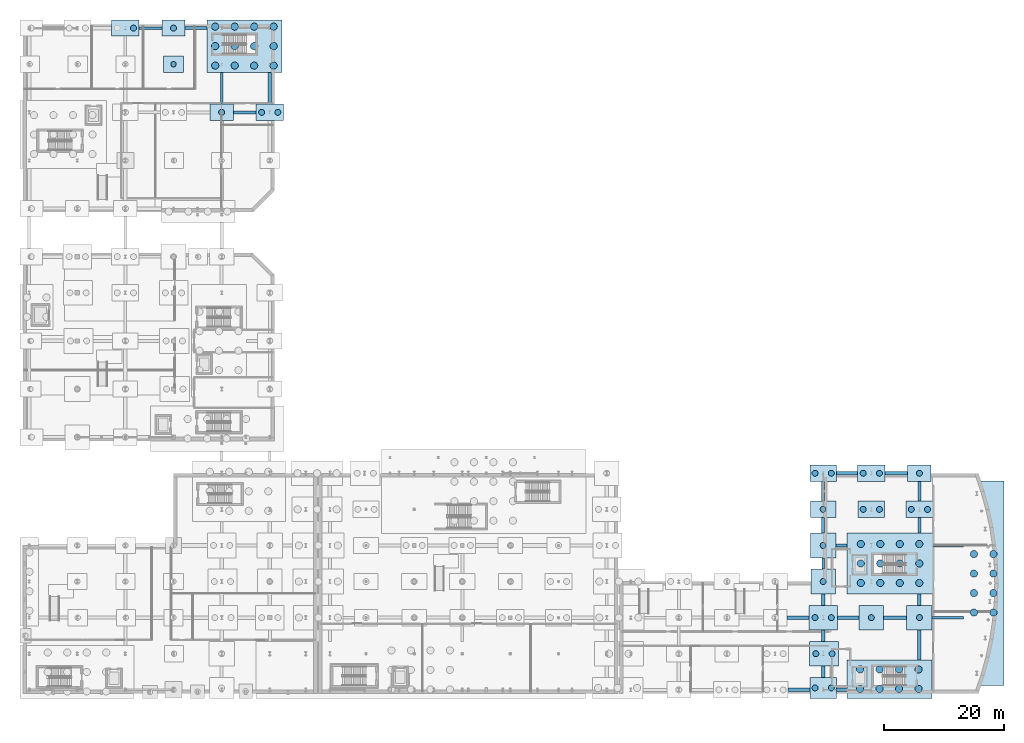
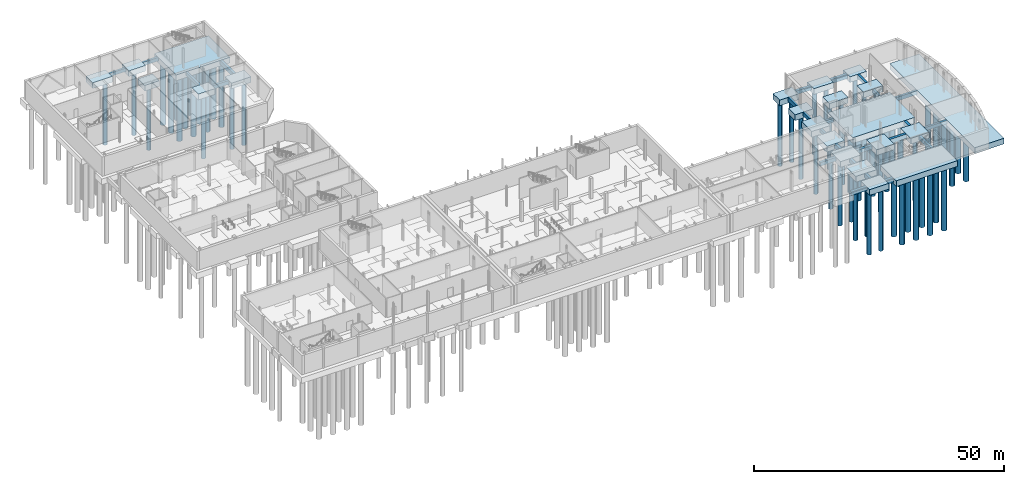
# One storey, part 5 of 47: 66 piles, 47 footings.
"""IFC4 building model written with IfcOpenShell, lengths in metres."""

from ifc_helpers import new_model, si_unit, direction, frame, origin, origin_2d, place, context, subcontext, project, spatial, rectangle, circle, extrude, material, layer, layer_set, material_profile, profile_set, type_object, element, save


model = new_model("IFC4")

# Units and contexts
model_context = context("Model", 3, precision=1e-05, world=origin(), true_north=direction((0.0, 1.0)))
body_context = subcontext(model_context, "Body", "Model", "MODEL_VIEW")
ifc_project = project(units=[si_unit("LENGTHUNIT", "METRE"), si_unit("AREAUNIT", "SQUARE_METRE"), si_unit("VOLUMEUNIT", "CUBIC_METRE"), si_unit("PLANEANGLEUNIT", "RADIAN"), si_unit("MASSUNIT", "GRAM", prefix="KILO")], contexts=[model_context])

# Site, building, storey
site_placement = place(None, origin())
site = spatial("IfcSite", under=ifc_project, at=site_placement, CompositionType="ELEMENT")
building_placement = place(site_placement, origin())
building = spatial("IfcBuilding", under=site, at=building_placement, Name="Cymarion Research Institute", CompositionType="ELEMENT")
storey_placement = place(building_placement, frame((0.0, 0.0, -5.0)))
storey = spatial("IfcBuildingStorey", under=building, at=storey_placement, Name="B1", CompositionType="ELEMENT", Elevation=-5.0)

# Piles
ifc_material = material(Name="Concrete C35/45", Category="concrete")
ifc_material_profile_1 = material_profile(ifc_material, circle(Radius=0.449951171875, at=origin_2d()), Name="BORED PILE D900")
ifc_profile_set_1 = profile_set([ifc_material_profile_1], Name="Concrete C35/45")
pile_type_1 = type_object("IfcPileType", Name="BORED CONCRETE PILE P1 D900", PredefinedType="BORED", material=ifc_profile_set_1)
pile_placement = place(storey_placement, frame((30.60009765625, 109.5, -1.300048828125), z_axis=(0.0, 0.0, -1.0), x_axis=(1.0, 0.0, 0.0)))
element("IfcPile", 1, at=pile_placement, inside=storey, type_object=pile_type_1, Name="Bored pile P1 #82", PredefinedType="BORED", context=body_context, shape_type="SweptSolid", body=[
    extrude(circle(Radius=0.449951171875, at=origin_2d()), origin(), (0.0, 0.0, 1.0), 15.699951171875),
])
ifc_material_profile_2 = material_profile(ifc_material, circle(Radius=0.5, at=origin_2d()), Name="BORED PILE D1000")
ifc_profile_set_2 = profile_set([ifc_material_profile_2], Name="Concrete C35/45")
pile_type_2 = type_object("IfcPileType", Name="BORED CONCRETE PILE P2 D1000", PredefinedType="BORED", material=ifc_profile_set_2)
for number, where, z_axis, x_axis, name in (
    (2, (23.949951171875, 115.5, -1.300048828125), (0.0, 0.0, -1.0), (1.0, 0.0, 0.0), "Bored pile P2 #70"),
    (3, (30.60009765625, 115.5, -1.300048828125), (0.0, 0.0, -1.0), (1.0, 0.0, 0.0), "Bored pile P2 #83"),
    (4, (38.60009765625, 101.5, -1.300048828125), (0.0, 0.0, -1.0), (1.0, 0.0, 0.0), "Bored pile P2 #122"),
    (5, (45.25, 101.5, -1.300048828125), (0.0, 0.0, -1.0), (1.0, 0.0, 0.0), "Bored pile P2 #160"),
    (6, (47.949951171875, 101.5, -1.300048828125), (0.0, 0.0, -1.0), (1.0, 0.0, 0.0), "Bored pile P2 #161"),
    (7, (137.25, 5.81494140625, -1.300048828125), (0.0, 0.0, -1.0), (1.0, 0.0, 0.0), "Bored pile P2 #261"),
    (8, (139.949951171875, 5.81494140625, -1.300048828125), (0.0, 0.0, -1.0), (1.0, 0.0, 0.0), "Bored pile P2 #262"),
    (9, (137.25, 17.5, -1.300048828125), (0.0, 0.0, -1.0), (1.0, 0.0, 0.0), "Bored pile P2 #263"),
    (10, (139.949951171875, 17.5, -1.300048828125), (0.0, 0.0, -1.0), (1.0, 0.0, 0.0), "Bored pile P2 #264"),
    (11, (138.60009765625, 23.5, -1.300048828125), (0.0, 0.0, -1.0), (1.0, 0.0, 0.0), "Bored pile P2 #265"),
    (12, (138.60009765625, 29.5, -1.300048828125), (0.0, 0.0, -1.0), (1.0, 0.0, 0.0), "Bored pile P2 #266"),
    (13, (138.60009765625, 35.5, -1.300048828125), (0.0, 0.0, -1.0), (1.0, 0.0, 0.0), "Bored pile P2 #267"),
    (14, (137.25, 41.5, -1.300048828125), (0.0, 0.0, -1.0), (1.0, 0.0, 0.0), "Bored pile P2 #268"),
    (15, (139.949951171875, 41.5, -1.300048828125), (0.0, 0.0, -1.0), (1.0, 0.0, 0.0), "Bored pile P2 #269"),
    (16, (137.3798828125, 11.5, -1.300048828125), (0.0, 0.0, -1.0), (1.0, 0.0, 0.0), "Bored pile P2 #270"),
    (17, (140.080078125, 11.5, -1.300048828125), (0.0, 0.0, -1.0), (1.0, 0.0, 0.0), "Bored pile P2 #271"),
    (18, (146.60009765625, 17.5, -1.300048828125), (0.0, 0.0, -1.0), (1.0, 0.0, 0.0), "Bored pile P2 #272"),
    (19, (145.25, 35.5, -1.300048828125), (0.0, 0.0, -1.0), (1.0, 0.0, 0.0), "Bored pile P2 #273"),
    (20, (147.949951171875, 35.5, -1.300048828125), (0.0, 0.0, -1.0), (1.0, 0.0, 0.0), "Bored pile P2 #274"),
    (21, (145.25, 41.5, -1.300048828125), (0.0, 0.0, -1.0), (1.0, 0.0, 0.0), "Bored pile P2 #275"),
    (22, (147.949951171875, 41.5, -1.300048828125), (0.0, 0.0, -1.0), (1.0, 0.0, 0.0), "Bored pile P2 #276"),
    (23, (154.60009765625, 17.5, -1.300048828125), (0.0, 0.0, -1.0), (1.0, 0.0, 0.0), "Bored pile P2 #297"),
    (24, (153.25, 35.5, -1.300048828125), (0.0, 0.0, -1.0), (1.0, 0.0, 0.0), "Bored pile P2 #298"),
    (25, (155.949951171875, 35.5, -1.300048828125), (0.0, 0.0, -1.0), (1.0, 0.0, 0.0), "Bored pile P2 #299"),
    (26, (154.60009765625, 41.5, -1.300048828125), (0.0, 0.0, -1.0), (1.0, 0.0, 0.0), "Bored pile P2 #300"),
):
    element("IfcPile", number, at=place(storey_placement, frame(where, z_axis=z_axis, x_axis=x_axis)), inside=storey, type_object=pile_type_2, Name=name, PredefinedType="BORED", context=body_context, shape_type="SweptSolid", body=[
        extrude(circle(Radius=0.5, at=origin_2d()), origin(), (0.0, 0.0, 1.0), 15.699951171875),
    ])
ifc_material_profile_3 = material_profile(ifc_material, circle(Radius=0.60009765625, at=origin_2d()), Name="BORED PILE D1200")
ifc_profile_set_3 = profile_set([ifc_material_profile_3], Name="Concrete C35/45")
pile_type_3 = type_object("IfcPileType", Name="BORED CONCRETE PILE P3 D1200", PredefinedType="BORED", material=ifc_profile_set_3)
for number, where, z_axis, x_axis, name in (
    (27, (37.530029296875, 109.260009765625, -1.300048828125), (0.0, 0.0, -1.0), (1.0, 0.0, 0.0), "Bored pile P3 #139"),
    (28, (37.530029296875, 112.5, -1.300048828125), (0.0, 0.0, -1.0), (1.0, 0.0, 0.0), "Bored pile P3 #140"),
    (29, (37.530029296875, 115.739990234375, -1.300048828125), (0.0, 0.0, -1.0), (1.0, 0.0, 0.0), "Bored pile P3 #141"),
    (30, (40.77001953125, 109.260009765625, -1.300048828125), (0.0, 0.0, -1.0), (1.0, 0.0, 0.0), "Bored pile P3 #142"),
    (31, (40.77001953125, 112.5, -1.300048828125), (0.0, 0.0, -1.0), (1.0, 0.0, 0.0), "Bored pile P3 #143"),
    (32, (40.77001953125, 115.739990234375, -1.300048828125), (0.0, 0.0, -1.0), (1.0, 0.0, 0.0), "Bored pile P3 #144"),
    (33, (44.010009765625, 109.260009765625, -1.300048828125), (0.0, 0.0, -1.0), (1.0, 0.0, 0.0), "Bored pile P3 #145"),
    (34, (44.010009765625, 112.5, -1.300048828125), (0.0, 0.0, -1.0), (1.0, 0.0, 0.0), "Bored pile P3 #146"),
    (35, (44.010009765625, 115.739990234375, -1.300048828125), (0.0, 0.0, -1.0), (1.0, 0.0, 0.0), "Bored pile P3 #147"),
    (36, (47.25, 109.260009765625, -1.300048828125), (0.0, 0.0, -1.0), (1.0, 0.0, 0.0), "Bored pile P3 #148"),
    (37, (47.25, 112.5, -1.300048828125), (0.0, 0.0, -1.0), (1.0, 0.0, 0.0), "Bored pile P3 #149"),
    (38, (47.25, 115.739990234375, -1.300048828125), (0.0, 0.0, -1.0), (1.0, 0.0, 0.0), "Bored pile P3 #150"),
    (39, (144.739990234375, 5.64501953125, -1.300048828125), (0.0, 0.0, -1.0), (1.0, 0.0, 0.0), "Bored pile P3 #277"),
    (40, (144.739990234375, 8.885009765625, -1.300048828125), (0.0, 0.0, -1.0), (1.0, 0.0, 0.0), "Bored pile P3 #278"),
    (41, (147.97998046875, 5.64501953125, -1.300048828125), (0.0, 0.0, -1.0), (1.0, 0.0, 0.0), "Bored pile P3 #279"),
    (42, (147.97998046875, 8.885009765625, -1.300048828125), (0.0, 0.0, -1.0), (1.0, 0.0, 0.0), "Bored pile P3 #280"),
    (43, (151.219970703125, 5.64501953125, -1.300048828125), (0.0, 0.0, -1.0), (1.0, 0.0, 0.0), "Bored pile P3 #281"),
    (44, (151.219970703125, 8.885009765625, -1.300048828125), (0.0, 0.0, -1.0), (1.0, 0.0, 0.0), "Bored pile P3 #282"),
    (45, (154.4599609375, 5.64501953125, -1.300048828125), (0.0, 0.0, -1.0), (1.0, 0.0, 0.0), "Bored pile P3 #283"),
    (46, (154.4599609375, 8.885009765625, -1.300048828125), (0.0, 0.0, -1.0), (1.0, 0.0, 0.0), "Bored pile P3 #284"),
    (47, (144.860107421875, 23.260009765625, -1.300048828125), (0.0, 0.0, -1.0), (1.0, 0.0, 0.0), "Bored pile P3 #285"),
    (48, (144.860107421875, 26.5, -1.300048828125), (0.0, 0.0, -1.0), (1.0, 0.0, 0.0), "Bored pile P3 #286"),
    (49, (144.860107421875, 29.739990234375, -1.300048828125), (0.0, 0.0, -1.0), (1.0, 0.0, 0.0), "Bored pile P3 #287"),
    (50, (148.10009765625, 23.260009765625, -1.300048828125), (0.0, 0.0, -1.0), (1.0, 0.0, 0.0), "Bored pile P3 #288"),
    (51, (148.10009765625, 26.5, -1.300048828125), (0.0, 0.0, -1.0), (1.0, 0.0, 0.0), "Bored pile P3 #289"),
    (52, (148.10009765625, 29.739990234375, -1.300048828125), (0.0, 0.0, -1.0), (1.0, 0.0, 0.0), "Bored pile P3 #290"),
    (53, (151.340087890625, 23.260009765625, -1.300048828125), (0.0, 0.0, -1.0), (1.0, 0.0, 0.0), "Bored pile P3 #291"),
    (54, (151.340087890625, 26.5, -1.300048828125), (0.0, 0.0, -1.0), (1.0, 0.0, 0.0), "Bored pile P3 #292"),
    (55, (151.340087890625, 29.739990234375, -1.300048828125), (0.0, 0.0, -1.0), (1.0, 0.0, 0.0), "Bored pile P3 #293"),
    (56, (154.580078125, 23.260009765625, -1.300048828125), (0.0, 0.0, -1.0), (1.0, 0.0, 0.0), "Bored pile P3 #294"),
    (57, (154.580078125, 26.5, -1.300048828125), (0.0, 0.0, -1.0), (1.0, 0.0, 0.0), "Bored pile P3 #295"),
    (58, (154.580078125, 29.739990234375, -1.300048828125), (0.0, 0.0, -1.0), (1.0, 0.0, 0.0), "Bored pile P3 #296"),
    (59, (163.6650390625, 18.340087890625, -1.300048828125), (0.0, 0.0, -1.0), (1.0, 0.0, 0.0), "Bored pile P3 #301"),
    (60, (163.6650390625, 21.580078125, -1.300048828125), (0.0, 0.0, -1.0), (1.0, 0.0, 0.0), "Bored pile P3 #302"),
    (61, (163.6650390625, 24.820068359375, -1.300048828125), (0.0, 0.0, -1.0), (1.0, 0.0, 0.0), "Bored pile P3 #303"),
    (62, (163.6650390625, 28.06005859375, -1.300048828125), (0.0, 0.0, -1.0), (1.0, 0.0, 0.0), "Bored pile P3 #304"),
    (63, (166.905029296875, 18.340087890625, -1.300048828125), (0.0, 0.0, -1.0), (1.0, 0.0, 0.0), "Bored pile P3 #305"),
    (64, (166.905029296875, 21.580078125, -1.300048828125), (0.0, 0.0, -1.0), (1.0, 0.0, 0.0), "Bored pile P3 #306"),
    (65, (166.905029296875, 24.820068359375, -1.300048828125), (0.0, 0.0, -1.0), (1.0, 0.0, 0.0), "Bored pile P3 #307"),
    (66, (166.905029296875, 28.06005859375, -1.300048828125), (0.0, 0.0, -1.0), (1.0, 0.0, 0.0), "Bored pile P3 #308"),
):
    element("IfcPile", number, at=place(storey_placement, frame(where, z_axis=z_axis, x_axis=x_axis)), inside=storey, type_object=pile_type_3, Name=name, PredefinedType="BORED", context=body_context, shape_type="SweptSolid", body=[
        extrude(circle(Radius=0.60009765625, at=origin_2d()), origin(), (0.0, 0.0, 1.0), 15.699951171875),
    ])

# Footings
footing_type_1 = type_object("IfcFootingType", Name="REINFORCED CONCRETE GROUND BEAM GB1 450X800", PredefinedType="FOOTING_BEAM", material=ifc_material)
footing_1_placement = place(storey_placement, frame((159.320068359375, 17.5, -0.7998046875), z_axis=(0.0, 0.0, 1.0), x_axis=(1.0, 0.0, 0.0)))
element("IfcFooting", 67, at=footing_1_placement, inside=storey, type_object=footing_type_1, Name="Seismic tie ground beam GB1 #23", PredefinedType="FOOTING_BEAM", context=body_context, shape_type="SweptSolid", body=[
    extrude(rectangle(XDim=5.179931640625, YDim=0.449951171875, at=origin_2d()), origin(), (0.0, 0.0, 1.0), 0.800048828125),
])
footing_2_placement = place(storey_placement, frame((26.760009765625, 115.5, -0.7998046875), z_axis=(0.0, 0.0, 1.0), x_axis=(1.0, 0.0, 0.0)))
element("IfcFooting", 68, at=footing_2_placement, inside=storey, type_object=footing_type_1, Name="Seismic tie ground beam GB1 #57", PredefinedType="FOOTING_BEAM", context=body_context, shape_type="SweptSolid", body=[
    extrude(rectangle(XDim=3.780029296875, YDim=0.449951171875, at=origin_2d()), origin(), (0.0, 0.0, 1.0), 0.800048828125),
])
footing_3_placement = place(storey_placement, frame((38.60009765625, 105.5, -0.7998046875), z_axis=(0.0, 0.0, 1.0), x_axis=(0.0, 1.0, 0.0)))
element("IfcFooting", 69, at=footing_3_placement, inside=storey, type_object=footing_type_1, Name="Seismic tie ground beam GB1 #88", PredefinedType="FOOTING_BEAM", context=body_context, shape_type="SweptSolid", body=[
    extrude(rectangle(XDim=5.300048828125, YDim=0.449951171875, at=origin_2d()), origin(), (0.0, 0.0, 1.0), 0.800048828125),
])
footing_4_placement = place(storey_placement, frame((138.60009765625, 26.5, -0.7998046875), z_axis=(0.0, 0.0, 1.0), x_axis=(0.0, 1.0, 0.0)))
element("IfcFooting", 70, at=footing_4_placement, inside=storey, type_object=footing_type_1, Name="Seismic tie ground beam GB1 #118", PredefinedType="FOOTING_BEAM", context=body_context, shape_type="SweptSolid", body=[
    extrude(rectangle(XDim=1.89990234375, YDim=0.449951171875, at=origin_2d()), origin(), (0.0, 0.0, 1.0), 0.800048828125),
])
footing_5_placement = place(storey_placement, frame((154.60009765625, 32.85009765625, -0.7998046875), z_axis=(0.0, 0.0, 1.0), x_axis=(0.0, 1.0, 0.0)))
element("IfcFooting", 71, at=footing_5_placement, inside=storey, type_object=footing_type_1, Name="Seismic tie ground beam GB1 #123", PredefinedType="FOOTING_BEAM", context=body_context, shape_type="SweptSolid", body=[
    extrude(rectangle(XDim=2.60009765625, YDim=0.449951171875, at=origin_2d()), origin(), (0.0, 0.0, 1.0), 0.800048828125),
])
footing_type_2 = type_object("IfcFootingType", Name="REINFORCED CONCRETE GROUND BEAM GB2 500X850", PredefinedType="FOOTING_BEAM", material=ifc_material)
footing_6_placement = place(storey_placement, frame((141.639892578125, 29.5, -0.85009765625), z_axis=(0.0, 0.0, 1.0), x_axis=(1.0, 0.0, 0.0)))
element("IfcFooting", 72, at=footing_6_placement, inside=storey, type_object=footing_type_2, Name="Seismic tie ground beam GB2 #35", PredefinedType="FOOTING_BEAM", context=body_context, shape_type="SweptSolid", body=[
    extrude(rectangle(XDim=1.820068359375, YDim=0.5, at=origin_2d()), origin(), (0.0, 0.0, 1.0), 0.85009765625),
])
footing_7_placement = place(storey_placement, frame((34.35009765625, 115.5, -0.85009765625), z_axis=(0.0, 0.0, 1.0), x_axis=(1.0, 0.0, 0.0)))
element("IfcFooting", 73, at=footing_7_placement, inside=storey, type_object=footing_type_2, Name="Seismic tie ground beam GB2 #58", PredefinedType="FOOTING_BEAM", context=body_context, shape_type="SweptSolid", body=[
    extrude(rectangle(XDim=3.60009765625, YDim=0.5, at=origin_2d()), origin(), (0.0, 0.0, 1.0), 0.85009765625),
])
footing_8_placement = place(storey_placement, frame((138.60009765625, 32.85009765625, -0.85009765625), z_axis=(0.0, 0.0, 1.0), x_axis=(0.0, 1.0, 0.0)))
element("IfcFooting", 74, at=footing_8_placement, inside=storey, type_object=footing_type_2, Name="Seismic tie ground beam GB2 #119", PredefinedType="FOOTING_BEAM", context=body_context, shape_type="SweptSolid", body=[
    extrude(rectangle(XDim=2.60009765625, YDim=0.5, at=origin_2d()), origin(), (0.0, 0.0, 1.0), 0.85009765625),
])
footing_9_placement = place(storey_placement, frame((154.60009765625, 38.5, -0.85009765625), z_axis=(0.0, 0.0, 1.0), x_axis=(0.0, 1.0, 0.0)))
element("IfcFooting", 75, at=footing_9_placement, inside=storey, type_object=footing_type_2, Name="Seismic tie ground beam GB2 #124", PredefinedType="FOOTING_BEAM", context=body_context, shape_type="SweptSolid", body=[
    extrude(rectangle(XDim=3.300048828125, YDim=0.5, at=origin_2d()), origin(), (0.0, 0.0, 1.0), 0.85009765625),
])
footing_type_3 = type_object("IfcFootingType", Name="REINFORCED CONCRETE GROUND BEAM GB3 500X950", PredefinedType="FOOTING_BEAM", material=ifc_material)
footing_10_placement = place(storey_placement, frame((159.39990234375, 29.5, -0.9501953125), z_axis=(0.0, 0.0, 1.0), x_axis=(1.0, 0.0, 0.0)))
element("IfcFooting", 76, at=footing_10_placement, inside=storey, type_object=footing_type_3, Name="Seismic tie ground beam GB3 #36", PredefinedType="FOOTING_BEAM", context=body_context, shape_type="SweptSolid", body=[
    extrude(rectangle(XDim=5.02001953125, YDim=0.5, at=origin_2d()), origin(), (0.0, 0.0, 1.0), 0.949951171875),
])
footing_11_placement = place(storey_placement, frame((42.43994140625, 101.5, -0.9501953125), z_axis=(0.0, 0.0, 1.0), x_axis=(1.0, 0.0, 0.0)))
element("IfcFooting", 77, at=footing_11_placement, inside=storey, type_object=footing_type_3, Name="Seismic tie ground beam GB3 #54", PredefinedType="FOOTING_BEAM", context=body_context, shape_type="SweptSolid", body=[
    extrude(rectangle(XDim=3.780029296875, YDim=0.5, at=origin_2d()), origin(), (0.0, 0.0, 1.0), 0.949951171875),
])
footing_12_placement = place(storey_placement, frame((138.60009765625, 38.5, -0.9501953125), z_axis=(0.0, 0.0, 1.0), x_axis=(0.0, 1.0, 0.0)))
element("IfcFooting", 78, at=footing_12_placement, inside=storey, type_object=footing_type_3, Name="Seismic tie ground beam GB3 #120", PredefinedType="FOOTING_BEAM", context=body_context, shape_type="SweptSolid", body=[
    extrude(rectangle(XDim=3.300048828125, YDim=0.5, at=origin_2d()), origin(), (0.0, 0.0, 1.0), 0.949951171875),
])
footing_type_4 = type_object("IfcFootingType", Name="REINFORCED CONCRETE GROUND BEAM GB4 550X900", PredefinedType="FOOTING_BEAM", material=ifc_material)
footing_13_placement = place(storey_placement, frame((134.389892578125, 17.5, -0.89990234375), z_axis=(0.0, 0.0, 1.0), x_axis=(1.0, 0.0, 0.0)))
element("IfcFooting", 79, at=footing_13_placement, inside=storey, type_object=footing_type_4, Name="Seismic tie ground beam GB4 #20", PredefinedType="FOOTING_BEAM", context=body_context, shape_type="SweptSolid", body=[
    extrude(rectangle(XDim=3.679931640625, YDim=0.550048828125, at=origin_2d()), origin(), (0.0, 0.0, 1.0), 0.89990234375),
])
footing_14_placement = place(storey_placement, frame((138.60009765625, 8.5, -0.89990234375), z_axis=(0.0, 0.0, 1.0), x_axis=(0.0, 1.0, 0.0)))
element("IfcFooting", 80, at=footing_14_placement, inside=storey, type_object=footing_type_4, Name="Seismic tie ground beam GB4 #115", PredefinedType="FOOTING_BEAM", context=body_context, shape_type="SweptSolid", body=[
    extrude(rectangle(XDim=1.89990234375, YDim=0.550048828125, at=origin_2d()), origin(), (0.0, 0.0, 1.0), 0.89990234375),
])
footing_type_5 = type_object("IfcFootingType", Name="REINFORCED CONCRETE GROUND BEAM GB5 600X900", PredefinedType="FOOTING_BEAM", material=ifc_material)
footing_15_placement = place(storey_placement, frame((134.590087890625, 5.5, -0.89990234375), z_axis=(0.0, 0.0, 1.0), x_axis=(1.0, 0.0, 0.0)))
element("IfcFooting", 81, at=footing_15_placement, inside=storey, type_object=footing_type_5, Name="Seismic tie ground beam GB5 #4", PredefinedType="FOOTING_BEAM", context=body_context, shape_type="SweptSolid", body=[
    extrude(rectangle(XDim=3.60009765625, YDim=0.60009765625, at=origin_2d()), origin(), (0.0, 0.0, 1.0), 0.89990234375),
])
footing_16_placement = place(storey_placement, frame((142.760009765625, 17.5, -0.89990234375), z_axis=(0.0, 0.0, 1.0), x_axis=(1.0, 0.0, 0.0)))
element("IfcFooting", 82, at=footing_16_placement, inside=storey, type_object=footing_type_5, Name="Seismic tie ground beam GB5 #21", PredefinedType="FOOTING_BEAM", context=body_context, shape_type="SweptSolid", body=[
    extrude(rectangle(XDim=3.580078125, YDim=0.60009765625, at=origin_2d()), origin(), (0.0, 0.0, 1.0), 0.89990234375),
])
footing_17_placement = place(storey_placement, frame((142.56005859375, 41.5, -0.89990234375), z_axis=(0.0, 0.0, 1.0), x_axis=(1.0, 0.0, 0.0)))
element("IfcFooting", 83, at=footing_17_placement, inside=storey, type_object=footing_type_5, Name="Seismic tie ground beam GB5 #37", PredefinedType="FOOTING_BEAM", context=body_context, shape_type="SweptSolid", body=[
    extrude(rectangle(XDim=3.5400390625, YDim=0.60009765625, at=origin_2d()), origin(), (0.0, 0.0, 1.0), 0.89990234375),
])
footing_18_placement = place(storey_placement, frame((46.60009765625, 105.5, -0.89990234375), z_axis=(0.0, 0.0, 1.0), x_axis=(0.0, 1.0, 0.0)))
element("IfcFooting", 84, at=footing_18_placement, inside=storey, type_object=footing_type_5, Name="Seismic tie ground beam GB5 #97", PredefinedType="FOOTING_BEAM", context=body_context, shape_type="SweptSolid", body=[
    extrude(rectangle(XDim=5.300048828125, YDim=0.60009765625, at=origin_2d()), origin(), (0.0, 0.0, 1.0), 0.89990234375),
])
footing_19_placement = place(storey_placement, frame((138.60009765625, 14.5, -0.89990234375), z_axis=(0.0, 0.0, 1.0), x_axis=(0.0, 1.0, 0.0)))
element("IfcFooting", 85, at=footing_19_placement, inside=storey, type_object=footing_type_5, Name="Seismic tie ground beam GB5 #116", PredefinedType="FOOTING_BEAM", context=body_context, shape_type="SweptSolid", body=[
    extrude(rectangle(XDim=1.89990234375, YDim=0.60009765625, at=origin_2d()), origin(), (0.0, 0.0, 1.0), 0.89990234375),
])
footing_20_placement = place(storey_placement, frame((154.60009765625, 12.949951171875, -0.89990234375), z_axis=(0.0, 0.0, 1.0), x_axis=(0.0, 1.0, 0.0)))
element("IfcFooting", 86, at=footing_20_placement, inside=storey, type_object=footing_type_5, Name="Seismic tie ground beam GB5 #121", PredefinedType="FOOTING_BEAM", context=body_context, shape_type="SweptSolid", body=[
    extrude(rectangle(XDim=5.0, YDim=0.60009765625, at=origin_2d()), origin(), (0.0, 0.0, 1.0), 0.89990234375),
])
footing_type_6 = type_object("IfcFootingType", Name="REINFORCED CONCRETE GROUND BEAM GB6 600X1050", PredefinedType="FOOTING_BEAM", material=ifc_material)
footing_21_placement = place(storey_placement, frame((141.679931640625, 5.5, -1.0498046875), z_axis=(0.0, 0.0, 1.0), x_axis=(1.0, 0.0, 0.0)))
element("IfcFooting", 87, at=footing_21_placement, inside=storey, type_object=footing_type_6, Name="Seismic tie ground beam GB6 #5", PredefinedType="FOOTING_BEAM", context=body_context, shape_type="SweptSolid", body=[
    extrude(rectangle(XDim=1.739990234375, YDim=0.60009765625, at=origin_2d()), origin(), (0.0, 0.0, 1.0), 1.050048828125),
])
footing_22_placement = place(storey_placement, frame((150.56005859375, 17.5, -1.0498046875), z_axis=(0.0, 0.0, 1.0), x_axis=(1.0, 0.0, 0.0)))
element("IfcFooting", 88, at=footing_22_placement, inside=storey, type_object=footing_type_6, Name="Seismic tie ground beam GB6 #22", PredefinedType="FOOTING_BEAM", context=body_context, shape_type="SweptSolid", body=[
    extrude(rectangle(XDim=3.820068359375, YDim=0.60009765625, at=origin_2d()), origin(), (0.0, 0.0, 1.0), 1.050048828125),
])
footing_23_placement = place(storey_placement, frame((150.760009765625, 41.5, -1.0498046875), z_axis=(0.0, 0.0, 1.0), x_axis=(1.0, 0.0, 0.0)))
element("IfcFooting", 89, at=footing_23_placement, inside=storey, type_object=footing_type_6, Name="Seismic tie ground beam GB6 #38", PredefinedType="FOOTING_BEAM", context=body_context, shape_type="SweptSolid", body=[
    extrude(rectangle(XDim=3.780029296875, YDim=0.60009765625, at=origin_2d()), origin(), (0.0, 0.0, 1.0), 1.050048828125),
])
for number, where, z_axis, x_axis, name in (
    (90, (138.60009765625, 20.5, -1.0498046875), (0.0, 0.0, 1.0), (0.0, 1.0, 0.0), "Seismic tie ground beam GB6 #117"),
    (91, (154.60009765625, 20.5, -1.0498046875), (0.0, 0.0, 1.0), (0.0, 1.0, 0.0), "Seismic tie ground beam GB6 #122"),
):
    element("IfcFooting", number, at=place(storey_placement, frame(where, z_axis=z_axis, x_axis=x_axis)), inside=storey, type_object=footing_type_6, Name=name, PredefinedType="FOOTING_BEAM", context=body_context, shape_type="SweptSolid", body=[
        extrude(rectangle(XDim=1.89990234375, YDim=0.60009765625, at=origin_2d()), origin(), (0.0, 0.0, 1.0), 1.050048828125),
    ])
ifc_layer_1 = layer(ifc_material, 1.39990234375)
ifc_layer_set_1 = layer_set([ifc_layer_1], Name="Concrete C35/45")
footing_type_7 = type_object("IfcFootingType", Name="REINFORCED CONCRETE PILE CAP PC12 3340X2700X1400", PredefinedType="PILE_CAP", material=ifc_layer_set_1)
footing_24_placement = place(storey_placement, frame((30.60009765625, 109.5, -1.39990234375), z_axis=(0.0, 0.0, 1.0), x_axis=(1.0, 0.0, 0.0)))
element("IfcFooting", 92, at=footing_24_placement, inside=storey, type_object=footing_type_7, Name="Pile cap PC12 #45", PredefinedType="PILE_CAP", context=body_context, shape_type="SweptSolid", body=[
    extrude(rectangle(XDim=3.340087890625, YDim=2.699951171875, at=origin_2d()), origin(), (0.0, 0.0, 1.0), 1.39990234375),
])
ifc_layer_2 = layer(ifc_material, 1.39990234375)
ifc_layer_set_2 = layer_set([ifc_layer_2], Name="Concrete C35/45")
footing_type_8 = type_object("IfcFootingType", Name="REINFORCED CONCRETE PILE CAP PC13 4100X4100X1400", PredefinedType="PILE_CAP", material=ifc_layer_set_2)
for number, where, z_axis, x_axis, name in (
    (93, (138.60009765625, 23.5, -1.39990234375), (0.0, 0.0, 1.0), (1.0, 0.0, 0.0), "Pile cap PC13 #120"),
    (94, (146.60009765625, 17.5, -1.39990234375), (0.0, 0.0, 1.0), (1.0, 0.0, 0.0), "Pile cap PC13 #125"),
):
    element("IfcFooting", number, at=place(storey_placement, frame(where, z_axis=z_axis, x_axis=x_axis)), inside=storey, type_object=footing_type_8, Name=name, PredefinedType="PILE_CAP", context=body_context, shape_type="SweptSolid", body=[
        extrude(rectangle(XDim=4.10009765625, YDim=4.10009765625, at=origin_2d()), origin(), (0.0, 0.0, 1.0), 1.39990234375),
    ])
ifc_layer_3 = layer(ifc_material, 1.39990234375)
ifc_layer_set_3 = layer_set([ifc_layer_3], Name="Concrete C35/45")
footing_type_9 = type_object("IfcFootingType", Name="REINFORCED CONCRETE PILE CAP PC14 4260X4100X1400", PredefinedType="PILE_CAP", material=ifc_layer_set_3)
for number, where, z_axis, x_axis, name in (
    (95, (138.60009765625, 29.5, -1.39990234375), (0.0, 0.0, 1.0), (1.0, 0.0, 0.0), "Pile cap PC14 #121"),
    (96, (154.60009765625, 17.5, -1.39990234375), (0.0, 0.0, 1.0), (1.0, 0.0, 0.0), "Pile cap PC14 #130"),
):
    element("IfcFooting", number, at=place(storey_placement, frame(where, z_axis=z_axis, x_axis=x_axis)), inside=storey, type_object=footing_type_9, Name=name, PredefinedType="PILE_CAP", context=body_context, shape_type="SweptSolid", body=[
        extrude(rectangle(XDim=4.260009765625, YDim=4.10009765625, at=origin_2d()), origin(), (0.0, 0.0, 1.0), 1.39990234375),
    ])
ifc_layer_4 = layer(ifc_material, 1.39990234375)
ifc_layer_set_4 = layer_set([ifc_layer_4], Name="Concrete C35/45")
footing_type_10 = type_object("IfcFootingType", Name="REINFORCED CONCRETE PILE CAP PC15 4740X4100X1400", PredefinedType="PILE_CAP", material=ifc_layer_set_4)
footing_25_placement = place(storey_placement, frame((138.60009765625, 17.5, -1.39990234375), z_axis=(0.0, 0.0, 1.0), x_axis=(1.0, 0.0, 0.0)))
element("IfcFooting", 97, at=footing_25_placement, inside=storey, type_object=footing_type_10, Name="Pile cap PC15 #119", PredefinedType="PILE_CAP", context=body_context, shape_type="SweptSolid", body=[
    extrude(rectangle(XDim=4.739990234375, YDim=4.10009765625, at=origin_2d()), origin(), (0.0, 0.0, 1.0), 1.39990234375),
])
ifc_layer_5 = layer(ifc_material, 1.39990234375)
ifc_layer_set_5 = layer_set([ifc_layer_5], Name="Concrete C35/45")
footing_type_11 = type_object("IfcFootingType", Name="REINFORCED CONCRETE PILE CAP PC16 3900X2700X1400", PredefinedType="PILE_CAP", material=ifc_layer_set_5)
for number, where, z_axis, x_axis, name in (
    (98, (30.60009765625, 115.5, -1.39990234375), (0.0, 0.0, 1.0), (1.0, 0.0, 0.0), "Pile cap PC16 #46"),
    (99, (38.60009765625, 101.5, -1.39990234375), (0.0, 0.0, 1.0), (1.0, 0.0, 0.0), "Pile cap PC16 #61"),
    (100, (154.60009765625, 41.5, -1.39990234375), (0.0, 0.0, 1.0), (1.0, 0.0, 0.0), "Pile cap PC16 #132"),
):
    element("IfcFooting", number, at=place(storey_placement, frame(where, z_axis=z_axis, x_axis=x_axis)), inside=storey, type_object=footing_type_11, Name=name, PredefinedType="PILE_CAP", context=body_context, shape_type="SweptSolid", body=[
        extrude(rectangle(XDim=3.89990234375, YDim=2.699951171875, at=origin_2d()), origin(), (0.0, 0.0, 1.0), 1.39990234375),
    ])
ifc_layer_6 = layer(ifc_material, 1.39990234375)
ifc_layer_set_6 = layer_set([ifc_layer_6], Name="Concrete C35/45")
footing_type_12 = type_object("IfcFootingType", Name="REINFORCED CONCRETE PILE CAP PC17 4380X2700X1400", PredefinedType="PILE_CAP", material=ifc_layer_set_6)
for number, where, z_axis, x_axis, name in (
    (101, (138.60009765625, 41.5, -1.39990234375), (0.0, 0.0, 1.0), (1.0, 0.0, 0.0), "Pile cap PC17 #123"),
    (102, (146.60009765625, 35.5, -1.39990234375), (0.0, 0.0, 1.0), (1.0, 0.0, 0.0), "Pile cap PC17 #126"),
):
    element("IfcFooting", number, at=place(storey_placement, frame(where, z_axis=z_axis, x_axis=x_axis)), inside=storey, type_object=footing_type_12, Name=name, PredefinedType="PILE_CAP", context=body_context, shape_type="SweptSolid", body=[
        extrude(rectangle(XDim=4.3798828125, YDim=2.699951171875, at=origin_2d()), origin(), (0.0, 0.0, 1.0), 1.39990234375),
    ])
ifc_layer_7 = layer(ifc_material, 1.39990234375)
ifc_layer_set_7 = layer_set([ifc_layer_7], Name="Concrete C35/45")
footing_type_13 = type_object("IfcFootingType", Name="REINFORCED CONCRETE PILE CAP PC18 4840X4100X1400", PredefinedType="PILE_CAP", material=ifc_layer_set_7)
footing_26_placement = place(storey_placement, frame((138.72998046875, 11.5, -1.39990234375), z_axis=(0.0, 0.0, 1.0), x_axis=(1.0, 0.0, 0.0)))
element("IfcFooting", 103, at=footing_26_placement, inside=storey, type_object=footing_type_13, Name="Pile cap PC18 #124", PredefinedType="PILE_CAP", context=body_context, shape_type="SweptSolid", body=[
    extrude(rectangle(XDim=4.840087890625, YDim=4.10009765625, at=origin_2d()), origin(), (0.0, 0.0, 1.0), 1.39990234375),
])
ifc_layer_8 = layer(ifc_material, 1.39990234375)
ifc_layer_set_8 = layer_set([ifc_layer_8], Name="Concrete C35/45")
footing_type_14 = type_object("IfcFootingType", Name="REINFORCED CONCRETE PILE CAP PC20 4220X2700X1400", PredefinedType="PILE_CAP", material=ifc_layer_set_8)
footing_27_placement = place(storey_placement, frame((138.60009765625, 35.5, -1.39990234375), z_axis=(0.0, 0.0, 1.0), x_axis=(1.0, 0.0, 0.0)))
element("IfcFooting", 104, at=footing_27_placement, inside=storey, type_object=footing_type_14, Name="Pile cap PC20 #122", PredefinedType="PILE_CAP", context=body_context, shape_type="SweptSolid", body=[
    extrude(rectangle(XDim=4.219970703125, YDim=2.699951171875, at=origin_2d()), origin(), (0.0, 0.0, 1.0), 1.39990234375),
])
ifc_layer_9 = layer(ifc_material, 1.39990234375)
ifc_layer_set_9 = layer_set([ifc_layer_9], Name="Concrete C35/45")
footing_type_15 = type_object("IfcFootingType", Name="REINFORCED CONCRETE PILE CAP PC21 4540X2700X1400", PredefinedType="PILE_CAP", material=ifc_layer_set_9)
for number, where, z_axis, x_axis, name in (
    (105, (22.60009765625, 115.5, -1.39990234375), (0.0, 0.0, 1.0), (1.0, 0.0, 0.0), "Pile cap PC21 #35"),
    (106, (46.60009765625, 101.5, -1.39990234375), (0.0, 0.0, 1.0), (1.0, 0.0, 0.0), "Pile cap PC21 #74"),
    (107, (146.60009765625, 41.5, -1.39990234375), (0.0, 0.0, 1.0), (1.0, 0.0, 0.0), "Pile cap PC21 #127"),
    (108, (154.60009765625, 35.5, -1.39990234375), (0.0, 0.0, 1.0), (1.0, 0.0, 0.0), "Pile cap PC21 #131"),
):
    element("IfcFooting", number, at=place(storey_placement, frame(where, z_axis=z_axis, x_axis=x_axis)), inside=storey, type_object=footing_type_15, Name=name, PredefinedType="PILE_CAP", context=body_context, shape_type="SweptSolid", body=[
        extrude(rectangle(XDim=4.5400390625, YDim=2.699951171875, at=origin_2d()), origin(), (0.0, 0.0, 1.0), 1.39990234375),
    ])
ifc_layer_10 = layer(ifc_material, 1.39990234375)
ifc_layer_set_10 = layer_set([ifc_layer_10], Name="Concrete C35/45")
footing_type_16 = type_object("IfcFootingType", Name="REINFORCED CONCRETE PILE CAP PC31 12480X8700X1400", PredefinedType="PILE_CAP", material=ifc_layer_set_10)
footing_28_placement = place(storey_placement, frame((42.389892578125, 112.5, -1.39990234375), z_axis=(0.0, 0.0, 1.0), x_axis=(1.0, 0.0, 0.0)))
element("IfcFooting", 109, at=footing_28_placement, inside=storey, type_object=footing_type_16, Name="Pile cap PC31 #65", PredefinedType="PILE_CAP", context=body_context, shape_type="SweptSolid", body=[
    extrude(rectangle(XDim=12.47998046875, YDim=8.699951171875, at=origin_2d()), origin(), (0.0, 0.0, 1.0), 1.39990234375),
])
ifc_layer_11 = layer(ifc_material, 1.39990234375)
ifc_layer_set_11 = layer_set([ifc_layer_11], Name="Concrete C35/45")
footing_type_17 = type_object("IfcFootingType", Name="REINFORCED CONCRETE PILE CAP PC44 4420X3470X1400", PredefinedType="PILE_CAP", material=ifc_layer_set_11)
footing_29_placement = place(storey_placement, frame((138.60009765625, 5.81494140625, -1.39990234375), z_axis=(0.0, 0.0, 1.0), x_axis=(1.0, 0.0, 0.0)))
element("IfcFooting", 110, at=footing_29_placement, inside=storey, type_object=footing_type_17, Name="Pile cap PC44 #118", PredefinedType="PILE_CAP", context=body_context, shape_type="SweptSolid", body=[
    extrude(rectangle(XDim=4.419921875, YDim=3.469970703125, at=origin_2d()), origin(), (0.0, 0.0, 1.0), 1.39990234375),
])
ifc_layer_12 = layer(ifc_material, 1.39990234375)
ifc_layer_set_12 = layer_set([ifc_layer_12], Name="Concrete C35/45")
footing_type_18 = type_object("IfcFootingType", Name="REINFORCED CONCRETE PILE CAP PC45 14100X6370X1400", PredefinedType="PILE_CAP", material=ifc_layer_set_12)
footing_30_placement = place(storey_placement, frame((149.60009765625, 7.264892578125, -1.39990234375), z_axis=(0.0, 0.0, 1.0), x_axis=(1.0, 0.0, 0.0)))
element("IfcFooting", 111, at=footing_30_placement, inside=storey, type_object=footing_type_18, Name="Pile cap PC45 #128", PredefinedType="PILE_CAP", context=body_context, shape_type="SweptSolid", body=[
    extrude(rectangle(XDim=14.10009765625, YDim=6.3701171875, at=origin_2d()), origin(), (0.0, 0.0, 1.0), 1.39990234375),
])
ifc_layer_13 = layer(ifc_material, 1.39990234375)
ifc_layer_set_13 = layer_set([ifc_layer_13], Name="Concrete C35/45")
footing_type_19 = type_object("IfcFootingType", Name="REINFORCED CONCRETE PILE CAP PC46 14340X10100X1400", PredefinedType="PILE_CAP", material=ifc_layer_set_13)
footing_31_placement = place(storey_placement, frame((149.719970703125, 26.5, -1.39990234375), z_axis=(0.0, 0.0, 1.0), x_axis=(1.0, 0.0, 0.0)))
element("IfcFooting", 112, at=footing_31_placement, inside=storey, type_object=footing_type_19, Name="Pile cap PC46 #129", PredefinedType="PILE_CAP", context=body_context, shape_type="SweptSolid", body=[
    extrude(rectangle(XDim=14.340087890625, YDim=10.10009765625, at=origin_2d()), origin(), (0.0, 0.0, 1.0), 1.39990234375),
])
ifc_layer_14 = layer(ifc_material, 1.39990234375)
ifc_layer_set_14 = layer_set([ifc_layer_14], Name="Concrete C35/45")
footing_type_20 = type_object("IfcFootingType", Name="REINFORCED CONCRETE PILE CAP PC47 6750X34000X1400", PredefinedType="PILE_CAP", material=ifc_layer_set_14)
footing_32_placement = place(storey_placement, frame((165.284912109375, 23.199951171875, -1.39990234375), z_axis=(0.0, 0.0, 1.0), x_axis=(1.0, 0.0, 0.0)))
element("IfcFooting", 113, at=footing_32_placement, inside=storey, type_object=footing_type_20, Name="Pile cap PC47 #133", PredefinedType="PILE_CAP", context=body_context, shape_type="SweptSolid", body=[
    extrude(rectangle(XDim=6.75, YDim=34.0, at=origin_2d()), origin(), (0.0, 0.0, 1.0), 1.39990234375),
])

save(model, "model.ifc")
